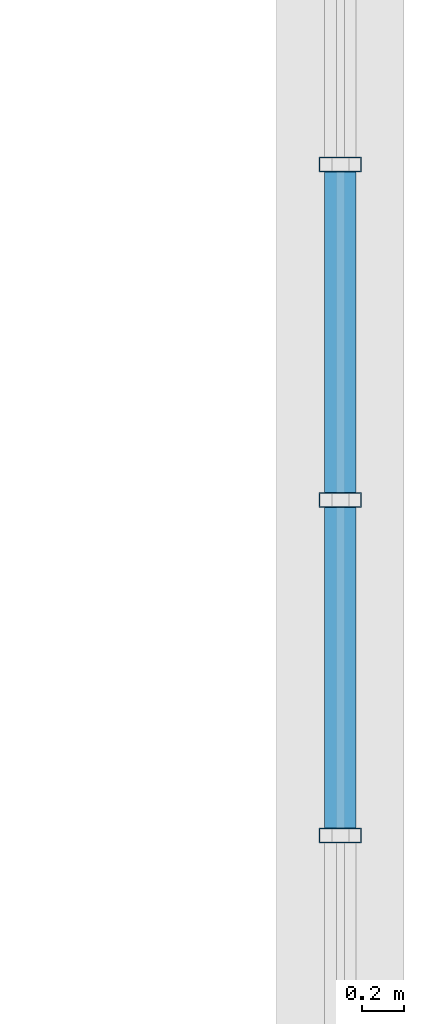
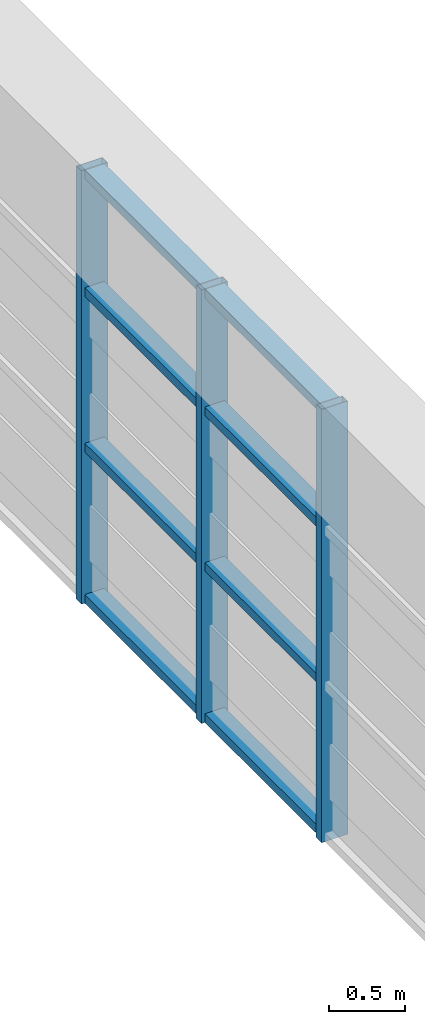
# One storey, part 14 of 27: 11 members, 1 element without a shape of its own.
"""IFC4 building model written with IfcOpenShell, lengths in metres."""

from ifc_helpers import new_model, si_unit, direction, frame, origin, origin_2d, place, context, subcontext, project, spatial, hollow_rectangle, extrude, source, transform, mapped, material, layer, layer_set, material_profile, profile_set, type_object, element, aggregate, save


model = new_model("IFC4")

# Units and contexts
model_context = context("Model", 3, precision=1e-05, world=origin(), true_north=direction((0.0, 1.0)))
body_context = subcontext(model_context, "Body", "Model", "MODEL_VIEW")
ifc_project = project(units=[si_unit("LENGTHUNIT", "METRE"), si_unit("AREAUNIT", "SQUARE_METRE"), si_unit("VOLUMEUNIT", "CUBIC_METRE"), si_unit("PLANEANGLEUNIT", "RADIAN"), si_unit("MASSUNIT", "GRAM", prefix="KILO")], contexts=[model_context])

# Site, building, storey
site_placement = place(None, origin())
site = spatial("IfcSite", under=ifc_project, at=site_placement, CompositionType="ELEMENT")
building_placement = place(site_placement, origin())
building = spatial("IfcBuilding", under=site, at=building_placement, Name="Saelheon Loggia Tower", CompositionType="ELEMENT")
storey_placement = place(building_placement, frame((0.0, 0.0, 256.0)))
storey = spatial("IfcBuildingStorey", under=building, at=storey_placement, Name="CR2", CompositionType="ELEMENT", Elevation=256.0)

# Curtain wall, members
ifc_material_1 = material(Name="Bronze-Anodised Aluminium and Fritted Ceramic Screen", Category="aluminium")
ifc_layer = layer(ifc_material_1, 0.219970703125)
ifc_layer_set = layer_set([ifc_layer], Name="Bronze-Anodised Aluminium and Fritted Ceramic Screen")
curtain_wall_type = type_object("IfcCurtainWallType", Name="CW_CrownScreen", PredefinedType="NOTDEFINED", material=ifc_layer_set)
curtain_wall_placement = place(storey_placement, origin())
curtain_wall = element("IfcCurtainWall", 1, at=curtain_wall_placement, inside=storey, type_object=curtain_wall_type, Name="CR2 Crown Screen Curtain Wall 3-2", PredefinedType="NOTDEFINED")
ifc_material_2 = material(Name="Bronze-Anodised Aluminium 6063-T6", Category="aluminium")
ifc_material_profile_1 = material_profile(ifc_material_2, hollow_rectangle(XDim=0.070068359375, YDim=0.199951171875, WallThickness=0.0048828125, at=origin_2d()), Name="RHS-200x70x5")
ifc_profile_set_1 = profile_set([ifc_material_profile_1], Name="Bronze-Anodised Aluminium 6063-T6")
member_type_1 = type_object("IfcMemberType", Name="CW_CrownScreen_Mullion", PredefinedType="MULLION", material=ifc_profile_set_1)
shared_shape_1 = source(origin(), body_context, "Body", "SweptSolid", [
    extrude(hollow_rectangle(XDim=0.070068359375, YDim=0.199951171875, WallThickness=0.0048828125, at=origin_2d()), origin(), (0.0, 0.0, 1.0), 3.47998046875),
])
member_1_placement = place(storey_placement, frame((52.64990234375, 23.050048828125, 0.0), z_axis=(0.0, 0.0, 1.0), x_axis=(0.0, 1.0, 0.0)))
member_1 = element("IfcMember", 2, at=member_1_placement, type_object=member_type_1, Name="CW6 mullion 4", PredefinedType="MULLION", context=body_context, shape_type="MappedRepresentation", body=[
    mapped(shared_shape_1, transform((0.0, 0.0, 0.0), scale=1.0)),
])
member_2_placement = place(storey_placement, frame((52.64990234375, 24.6298828125, 0.0), z_axis=(0.0, 0.0, 1.0), x_axis=(0.0, 1.0, 0.0)))
member_2 = element("IfcMember", 3, at=member_2_placement, type_object=member_type_1, Name="CW6 mullion 5", PredefinedType="MULLION", context=body_context, shape_type="MappedRepresentation", body=[
    mapped(shared_shape_1, transform((0.0, 0.0, 0.0), scale=1.0)),
])
member_3_placement = place(storey_placement, frame((52.64990234375, 26.2099609375, 0.0), z_axis=(0.0, 0.0, 1.0), x_axis=(0.0, 1.0, 0.0)))
member_3 = element("IfcMember", 4, at=member_3_placement, type_object=member_type_1, Name="CW6 mullion 6", PredefinedType="MULLION", context=body_context, shape_type="MappedRepresentation", body=[
    mapped(shared_shape_1, transform((0.0, 0.0, 0.0), scale=1.0)),
])
ifc_material_profile_2 = material_profile(ifc_material_2, hollow_rectangle(XDim=0.070068359375, YDim=0.14990234375, WallThickness=0.0048828125, at=origin_2d()), Name="RHS-150x70x5")
ifc_profile_set_2 = profile_set([ifc_material_profile_2], Name="Bronze-Anodised Aluminium 6063-T6")
member_type_2 = type_object("IfcMemberType", Name="CW_CrownScreen_Transom", PredefinedType="USERDEFINED", material=ifc_profile_set_2)
shared_shape_2 = source(origin(), body_context, "Body", "SweptSolid", [
    extrude(hollow_rectangle(XDim=0.070068359375, YDim=0.14990234375, WallThickness=0.0048828125, at=origin_2d()), origin(), (0.0, 0.0, 1.0), 1.510009765625),
])
member_4_placement = place(storey_placement, frame((52.64990234375, 23.0849609375, 0.034912109375), z_axis=(0.0, 1.0, 0.0), x_axis=(0.0, 0.0, 1.0)))
member_4 = element("IfcMember", 5, at=member_4_placement, type_object=member_type_2, Name="CW6 transom 4.1", ObjectType="TRANSOM", PredefinedType="USERDEFINED", context=body_context, shape_type="MappedRepresentation", body=[
    mapped(shared_shape_2, transform((0.0, 0.0, 0.0), scale=1.0)),
])
member_5_placement = place(storey_placement, frame((52.64990234375, 23.0849609375, 1.25), z_axis=(0.0, 1.0, 0.0), x_axis=(0.0, 0.0, 1.0)))
member_5 = element("IfcMember", 6, at=member_5_placement, type_object=member_type_2, Name="CW6 transom 4.2", ObjectType="TRANSOM", PredefinedType="USERDEFINED", context=body_context, shape_type="MappedRepresentation", body=[
    mapped(shared_shape_2, transform((0.0, 0.0, 0.0), scale=1.0)),
])
member_6_placement = place(storey_placement, frame((52.64990234375, 23.0849609375, 2.5), z_axis=(0.0, 1.0, 0.0), x_axis=(0.0, 0.0, 1.0)))
member_6 = element("IfcMember", 7, at=member_6_placement, type_object=member_type_2, Name="CW6 transom 4.3", ObjectType="TRANSOM", PredefinedType="USERDEFINED", context=body_context, shape_type="MappedRepresentation", body=[
    mapped(shared_shape_2, transform((0.0, 0.0, 0.0), scale=1.0)),
])
member_7_placement = place(storey_placement, frame((52.64990234375, 23.0849609375, 3.445068359375), z_axis=(0.0, 1.0, 0.0), x_axis=(0.0, 0.0, 1.0)))
member_7 = element("IfcMember", 8, at=member_7_placement, type_object=member_type_2, Name="CW6 transom 4.4", ObjectType="TRANSOM", PredefinedType="USERDEFINED", context=body_context, shape_type="MappedRepresentation", body=[
    mapped(shared_shape_2, transform((0.0, 0.0, 0.0), scale=1.0)),
])
member_8_placement = place(storey_placement, frame((52.64990234375, 24.6650390625, 0.034912109375), z_axis=(0.0, 1.0, 0.0), x_axis=(0.0, 0.0, 1.0)))
member_8 = element("IfcMember", 9, at=member_8_placement, type_object=member_type_2, Name="CW6 transom 5.1", ObjectType="TRANSOM", PredefinedType="USERDEFINED", context=body_context, shape_type="MappedRepresentation", body=[
    mapped(shared_shape_2, transform((0.0, 0.0, 0.0), scale=1.0)),
])
member_9_placement = place(storey_placement, frame((52.64990234375, 24.6650390625, 1.25), z_axis=(0.0, 1.0, 0.0), x_axis=(0.0, 0.0, 1.0)))
member_9 = element("IfcMember", 10, at=member_9_placement, type_object=member_type_2, Name="CW6 transom 5.2", ObjectType="TRANSOM", PredefinedType="USERDEFINED", context=body_context, shape_type="MappedRepresentation", body=[
    mapped(shared_shape_2, transform((0.0, 0.0, 0.0), scale=1.0)),
])
member_10_placement = place(storey_placement, frame((52.64990234375, 24.6650390625, 2.5), z_axis=(0.0, 1.0, 0.0), x_axis=(0.0, 0.0, 1.0)))
member_10 = element("IfcMember", 11, at=member_10_placement, type_object=member_type_2, Name="CW6 transom 5.3", ObjectType="TRANSOM", PredefinedType="USERDEFINED", context=body_context, shape_type="MappedRepresentation", body=[
    mapped(shared_shape_2, transform((0.0, 0.0, 0.0), scale=1.0)),
])
member_11_placement = place(storey_placement, frame((52.64990234375, 24.6650390625, 3.445068359375), z_axis=(0.0, 1.0, 0.0), x_axis=(0.0, 0.0, 1.0)))
member_11 = element("IfcMember", 12, at=member_11_placement, type_object=member_type_2, Name="CW6 transom 5.4", ObjectType="TRANSOM", PredefinedType="USERDEFINED", context=body_context, shape_type="MappedRepresentation", body=[
    mapped(shared_shape_2, transform((0.0, 0.0, 0.0), scale=1.0)),
])
aggregate(curtain_wall, [member_1, member_2, member_3, member_4, member_5, member_6, member_7, member_8, member_9, member_10, member_11])

save(model, "model.ifc")
